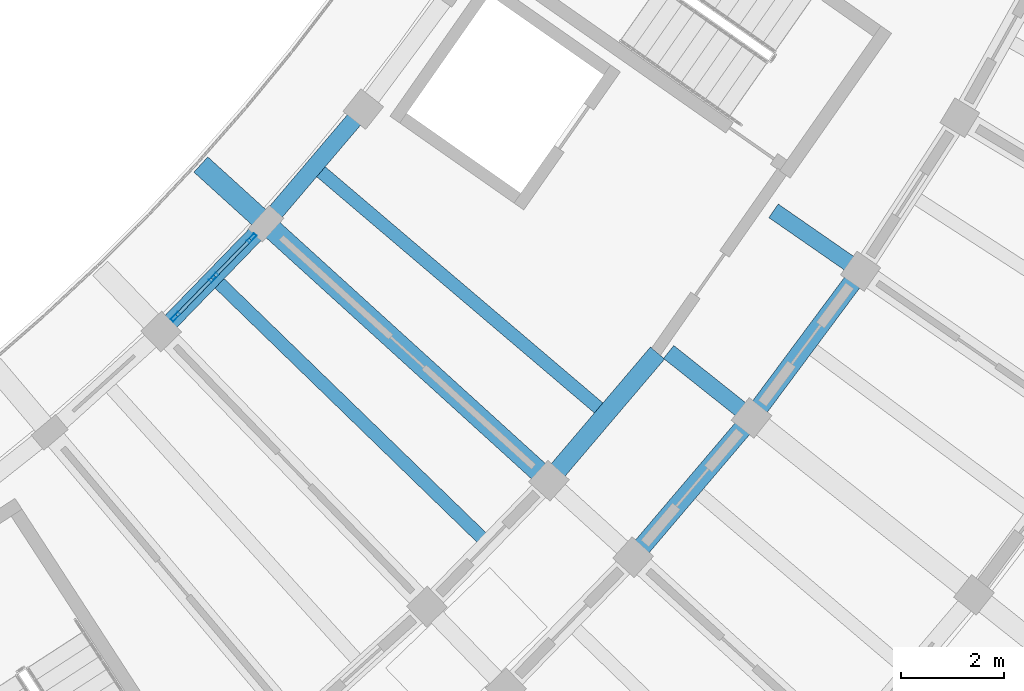
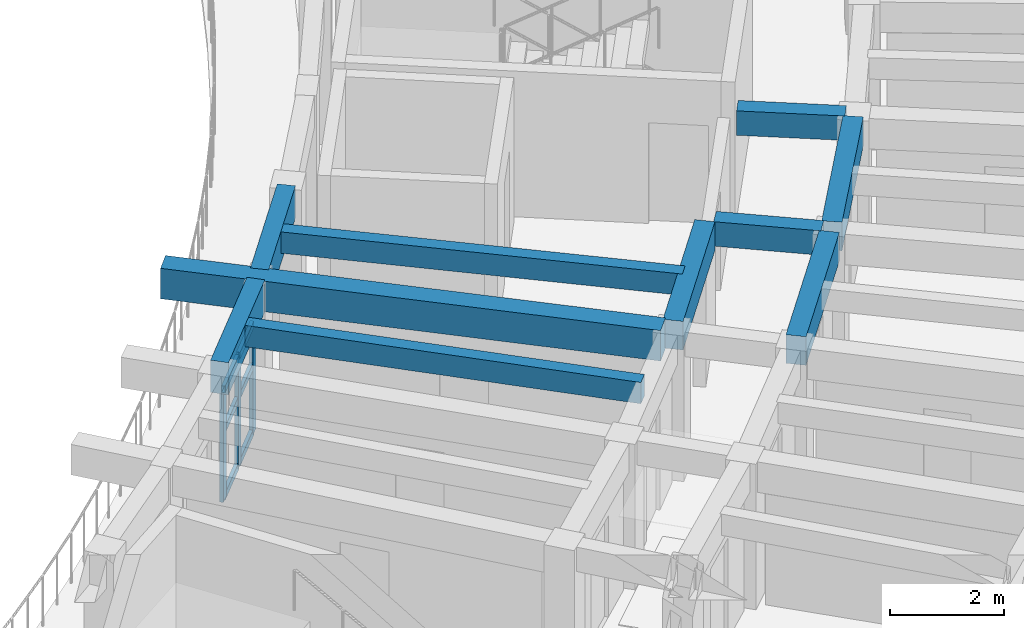
# One storey, part 18 of 81: 10 beams, 9 members, 1 element without a shape of its own.
"""IFC4 building model written with IfcOpenShell, lengths in metres."""

from ifc_helpers import new_model, si_unit, direction, frame, origin, origin_2d, place, context, subcontext, project, spatial, rectangle, hollow_rectangle, extrude, material, material_profile, profile_set, type_object, element, aggregate, save


model = new_model("IFC4")

# Units and contexts
model_context = context("Model", 3, precision=1e-05, world=origin(), true_north=direction((0.0, 1.0)))
body_context = subcontext(model_context, "Body", "Model", "MODEL_VIEW")
ifc_project = project(units=[si_unit("LENGTHUNIT", "METRE"), si_unit("AREAUNIT", "SQUARE_METRE"), si_unit("VOLUMEUNIT", "CUBIC_METRE"), si_unit("PLANEANGLEUNIT", "RADIAN"), si_unit("MASSUNIT", "GRAM", prefix="KILO")], contexts=[model_context])

# Site, building, storey
site_placement = place(None, origin())
site = spatial("IfcSite", under=ifc_project, at=site_placement, CompositionType="ELEMENT")
building_placement = place(site_placement, origin())
building = spatial("IfcBuilding", under=site, at=building_placement, Name="Tanwirah Colonnade Gardens", CompositionType="ELEMENT")
storey_placement = place(building_placement, frame((0.0, 0.0, 8.840087890625)))
storey = spatial("IfcBuildingStorey", under=building, at=storey_placement, Name="L02", CompositionType="ELEMENT", Elevation=8.840087890625)

# Beams
ifc_material_1 = material(Name="Precast concrete C40/50", Category="concrete")
ifc_material_profile_1 = material_profile(ifc_material_1, rectangle(XDim=0.360107421875, YDim=0.610107421875, at=origin_2d()), Name="PC-BM 360x610")
ifc_profile_set_1 = profile_set([ifc_material_profile_1], Name="Precast concrete C40/50")
beam_type_1 = type_object("IfcBeamType", Name="BM-PC300", PredefinedType="BEAM", material=ifc_profile_set_1)
beam_1_placement = place(storey_placement, frame((159.4775390625, 29.751953125, 2.7998046875), z_axis=(0.647730901566, 0.761869200819, 0.0), x_axis=(-0.761869200819, 0.647730901566, 0.0)))
element("IfcBeam", 1, at=beam_1_placement, inside=storey, type_object=beam_type_1, Name="Block D L02 Circumferential Beam 9-R1", PredefinedType="BEAM", context=body_context, shape_type="SweptSolid", body=[
    extrude(rectangle(XDim=0.360107421875, YDim=0.610107421875, at=origin_2d()), origin(), (0.0, 0.0, 1.0), 3.093017578125),
])
beam_2_placement = place(storey_placement, frame((161.10595703125, 28.27294921875, 2.7998046875), z_axis=(0.6478235549, 0.761790418499, 0.0), x_axis=(-0.761790418499, 0.6478235549, 0.0)))
element("IfcBeam", 2, at=beam_2_placement, inside=storey, type_object=beam_type_1, Name="Block D L02 Circumferential Beam 9-R2", PredefinedType="BEAM", context=body_context, shape_type="SweptSolid", body=[
    extrude(rectangle(XDim=0.360107421875, YDim=0.610107421875, at=origin_2d()), origin(), (0.0, 0.0, 1.0), 3.23681640625),
])
beam_3_placement = place(storey_placement, frame((163.389404296875, 30.973388671875, 2.7998046875), z_axis=(0.596579473879, 0.802554005252, 0.0), x_axis=(-0.802554005252, 0.596579473879, 0.0)))
element("IfcBeam", 3, at=beam_3_placement, inside=storey, type_object=beam_type_1, Name="Block D L02 Circumferential Beam 10-R2", PredefinedType="BEAM", context=body_context, shape_type="SweptSolid", body=[
    extrude(rectangle(XDim=0.360107421875, YDim=0.610107421875, at=origin_2d()), origin(), (0.0, 0.0, 1.0), 3.237060546875),
])
ifc_material_profile_2 = material_profile(ifc_material_1, rectangle(XDim=0.320068359375, YDim=0.52001953125, at=origin_2d()), Name="PC-BM 320x520")
ifc_profile_set_2 = profile_set([ifc_material_profile_2], Name="Precast concrete C40/50")
beam_type_2 = type_object("IfcBeamType", Name="BM-PC320", PredefinedType="BEAM", material=ifc_profile_set_2)
beam_4_placement = place(storey_placement, frame((161.695556640625, 32.129150390625, 2.844970703125), z_axis=(0.782670764896, -0.622435919415, 0.0), x_axis=(0.622435919415, 0.782670764896, 0.0)))
element("IfcBeam", 4, at=beam_4_placement, inside=storey, type_object=beam_type_2, Name="Block D L02 Corridor Tie Beam 10", PredefinedType="BEAM", context=body_context, shape_type="SweptSolid", body=[
    extrude(rectangle(XDim=0.320068359375, YDim=0.52001953125, at=origin_2d()), origin(), (0.0, 0.0, 1.0), 1.89990234375),
])
beam_5_placement = place(storey_placement, frame((163.7255859375, 34.860107421875, 2.844970703125), z_axis=(0.821669163201, -0.569964723684, 0.0), x_axis=(0.569964723684, 0.821669163201, 0.0)))
element("IfcBeam", 5, at=beam_5_placement, inside=storey, type_object=beam_type_2, Name="Block D L02 Corridor Tie Beam 11", PredefinedType="BEAM", context=body_context, shape_type="SweptSolid", body=[
    extrude(rectangle(XDim=0.320068359375, YDim=0.52001953125, at=origin_2d()), origin(), (0.0, 0.0, 1.0), 1.900146484375),
])
ifc_material_2 = material(Name="Precast concrete C45/55", Category="concrete")
ifc_material_profile_3 = material_profile(ifc_material_2, rectangle(XDim=0.39990234375, YDim=0.64990234375, at=origin_2d()), Name="PC-BM 400x650")
ifc_profile_set_3 = profile_set([ifc_material_profile_3], Name="Precast concrete C45/55")
beam_type_3 = type_object("IfcBeamType", Name="BM-PC400", PredefinedType="BEAM", material=ifc_profile_set_3)
beam_6_placement = place(storey_placement, frame((159.269287109375, 29.738525390625, 2.780029296875), z_axis=(-0.740212791446, 0.672372681911, 0.0), x_axis=(-0.672372681911, -0.740212791446, 0.0)))
element("IfcBeam", 6, at=beam_6_placement, inside=storey, type_object=beam_type_3, Name="Block D L02 Inner Radial Precast Girder 9", PredefinedType="BEAM", context=body_context, shape_type="SweptSolid", body=[
    extrude(rectangle(XDim=0.39990234375, YDim=0.64990234375, at=origin_2d()), origin(), (0.0, 0.0, 1.0), 8.9501953125),
])

# Curtain wall, members
ifc_material_3 = material(Name="Bronze-anodised aluminium and solar-control low-E glass", Category="aluminium")
curtain_wall_type = type_object("IfcCurtainWallType", Name="CW-GDN", PredefinedType="NOTDEFINED", material=ifc_material_3)
curtain_wall_placement = place(storey_placement, origin())
curtain_wall = element("IfcCurtainWall", 7, at=curtain_wall_placement, inside=storey, type_object=curtain_wall_type, Name="Curtain Wall CW-D-L02-IN-08", PredefinedType="NOTDEFINED")
ifc_material_4 = material(Name="Bronze-anodised aluminium", Category="aluminium")
ifc_material_profile_4 = material_profile(ifc_material_4, hollow_rectangle(XDim=0.070068359375, YDim=0.199951171875, WallThickness=0.00390625, at=origin_2d()), Name="CW-MUL 70x200x4")
ifc_profile_set_4 = profile_set([ifc_material_profile_4], Name="Bronze-anodised aluminium")
member_type_1 = type_object("IfcMemberType", Name="CWM-70x200", PredefinedType="MULLION", material=ifc_profile_set_4)
member_1_placement = place(storey_placement, frame((152.152587890625, 32.808837890625, 0.0), z_axis=(0.0, 0.0, 1.0), x_axis=(-0.717825107678, 0.696223466127, 0.0)))
member_1 = element("IfcMember", 8, at=member_1_placement, type_object=member_type_1, Name="CW-GDN mullion 1", PredefinedType="MULLION", context=body_context, shape_type="SweptSolid", body=[
    extrude(hollow_rectangle(XDim=0.070068359375, YDim=0.199951171875, WallThickness=0.00390625, at=origin_2d()), origin(), (0.0, 0.0, 1.0), 2.35498046875),
])
member_2_placement = place(storey_placement, frame((152.89013671875, 33.5693359375, 0.0), z_axis=(0.0, 0.0, 1.0), x_axis=(-0.717825107678, 0.696223466127, 0.0)))
member_2 = element("IfcMember", 9, at=member_2_placement, type_object=member_type_1, Name="CW-GDN mullion 2", PredefinedType="MULLION", context=body_context, shape_type="SweptSolid", body=[
    extrude(hollow_rectangle(XDim=0.070068359375, YDim=0.199951171875, WallThickness=0.00390625, at=origin_2d()), origin(), (0.0, 0.0, 1.0), 2.35498046875),
])
member_3_placement = place(storey_placement, frame((153.627685546875, 34.329833984375, 0.0), z_axis=(0.0, 0.0, 1.0), x_axis=(-0.717825107678, 0.696223466127, 0.0)))
member_3 = element("IfcMember", 10, at=member_3_placement, type_object=member_type_1, Name="CW-GDN mullion 3", PredefinedType="MULLION", context=body_context, shape_type="SweptSolid", body=[
    extrude(hollow_rectangle(XDim=0.070068359375, YDim=0.199951171875, WallThickness=0.00390625, at=origin_2d()), origin(), (0.0, 0.0, 1.0), 2.35498046875),
])
ifc_material_profile_5 = material_profile(ifc_material_4, hollow_rectangle(XDim=0.070068359375, YDim=0.14990234375, WallThickness=0.00390625, at=origin_2d()), Name="CW-TRN 70x150x4")
ifc_profile_set_5 = profile_set([ifc_material_profile_5], Name="Bronze-anodised aluminium")
member_type_2 = type_object("IfcMemberType", Name="CWT-70x150", PredefinedType="USERDEFINED", material=ifc_profile_set_5)
member_4_placement = place(storey_placement, frame((152.177001953125, 32.833984375, 0.034912109375), z_axis=(0.696165106351, 0.71788170662, 0.0), x_axis=(-0.71788170662, 0.696165106351, 0.0)))
member_4 = element("IfcMember", 11, at=member_4_placement, type_object=member_type_2, Name="CW-GDN transom 1.1", ObjectType="TRANSOM", PredefinedType="USERDEFINED", context=body_context, shape_type="SweptSolid", body=[
    extrude(hollow_rectangle(XDim=0.070068359375, YDim=0.14990234375, WallThickness=0.00390625, at=origin_2d()), origin(), (0.0, 0.0, 1.0), 0.9892578125),
])
member_5_placement = place(storey_placement, frame((152.177001953125, 32.833984375, 1.4599609375), z_axis=(0.696165106351, 0.71788170662, 0.0), x_axis=(-0.71788170662, 0.696165106351, 0.0)))
member_5 = element("IfcMember", 12, at=member_5_placement, type_object=member_type_2, Name="CW-GDN transom 1.2", ObjectType="TRANSOM", PredefinedType="USERDEFINED", context=body_context, shape_type="SweptSolid", body=[
    extrude(hollow_rectangle(XDim=0.070068359375, YDim=0.14990234375, WallThickness=0.00390625, at=origin_2d()), origin(), (0.0, 0.0, 1.0), 0.9892578125),
])
member_6_placement = place(storey_placement, frame((152.177001953125, 32.833984375, 2.31982421875), z_axis=(0.696165106351, 0.71788170662, 0.0), x_axis=(-0.71788170662, 0.696165106351, 0.0)))
member_6 = element("IfcMember", 13, at=member_6_placement, type_object=member_type_2, Name="CW-GDN transom 1.3", ObjectType="TRANSOM", PredefinedType="USERDEFINED", context=body_context, shape_type="SweptSolid", body=[
    extrude(hollow_rectangle(XDim=0.070068359375, YDim=0.14990234375, WallThickness=0.00390625, at=origin_2d()), origin(), (0.0, 0.0, 1.0), 0.9892578125),
])
member_7_placement = place(storey_placement, frame((152.91455078125, 33.594482421875, 0.034912109375), z_axis=(0.696165106351, 0.71788170662, 0.0), x_axis=(-0.71788170662, 0.696165106351, 0.0)))
member_7 = element("IfcMember", 14, at=member_7_placement, type_object=member_type_2, Name="CW-GDN transom 2.1", ObjectType="TRANSOM", PredefinedType="USERDEFINED", context=body_context, shape_type="SweptSolid", body=[
    extrude(hollow_rectangle(XDim=0.070068359375, YDim=0.14990234375, WallThickness=0.00390625, at=origin_2d()), origin(), (0.0, 0.0, 1.0), 0.9892578125),
])
member_8_placement = place(storey_placement, frame((152.91455078125, 33.594482421875, 1.4599609375), z_axis=(0.696165106351, 0.71788170662, 0.0), x_axis=(-0.71788170662, 0.696165106351, 0.0)))
member_8 = element("IfcMember", 15, at=member_8_placement, type_object=member_type_2, Name="CW-GDN transom 2.2", ObjectType="TRANSOM", PredefinedType="USERDEFINED", context=body_context, shape_type="SweptSolid", body=[
    extrude(hollow_rectangle(XDim=0.070068359375, YDim=0.14990234375, WallThickness=0.00390625, at=origin_2d()), origin(), (0.0, 0.0, 1.0), 0.9892578125),
])
member_9_placement = place(storey_placement, frame((152.91455078125, 33.594482421875, 2.31982421875), z_axis=(0.696165106351, 0.71788170662, 0.0), x_axis=(-0.71788170662, 0.696165106351, 0.0)))
member_9 = element("IfcMember", 16, at=member_9_placement, type_object=member_type_2, Name="CW-GDN transom 2.3", ObjectType="TRANSOM", PredefinedType="USERDEFINED", context=body_context, shape_type="SweptSolid", body=[
    extrude(hollow_rectangle(XDim=0.070068359375, YDim=0.14990234375, WallThickness=0.00390625, at=origin_2d()), origin(), (0.0, 0.0, 1.0), 0.9892578125),
])
aggregate(curtain_wall, [member_1, member_2, member_3, member_4, member_5, member_6, member_7, member_8, member_9])

# Beams
ifc_material_profile_6 = material_profile(ifc_material_1, rectangle(XDim=0.2548828125, YDim=0.455078125, at=origin_2d()), Name="PC-JST 255x455")
ifc_profile_set_6 = profile_set([ifc_material_profile_6], Name="Precast concrete C40/50")
beam_type_4 = type_object("IfcBeamType", Name="JST-PC240", PredefinedType="JOIST", material=ifc_profile_set_6)
beam_7_placement = place(storey_placement, frame((152.993408203125, 33.46923828125, 2.87744140625), z_axis=(0.717816218075, -0.69623263143, 0.0), x_axis=(0.69623263143, 0.717816218075, 0.0)))
element("IfcBeam", 17, at=beam_7_placement, inside=storey, type_object=beam_type_4, Name="Block D L02 Inner Precast Floor Joist 8", PredefinedType="JOIST", context=body_context, shape_type="SweptSolid", body=[
    extrude(rectangle(XDim=0.2548828125, YDim=0.455078125, at=origin_2d()), origin(), (0.0, 0.0, 1.0), 7.16015625),
])
beam_8_placement = place(storey_placement, frame((154.954345703125, 35.628173828125, 2.87744140625), z_axis=(0.761816472242, -0.647792916464, 0.0), x_axis=(0.647792916464, 0.761816472242, 0.0)))
element("IfcBeam", 18, at=beam_8_placement, inside=storey, type_object=beam_type_4, Name="Block D L02 Inner Precast Floor Joist 9", PredefinedType="JOIST", context=body_context, shape_type="SweptSolid", body=[
    extrude(rectangle(XDim=0.2548828125, YDim=0.455078125, at=origin_2d()), origin(), (0.0, 0.0, 1.0), 7.159912109375),
])
ifc_material_profile_7 = material_profile(ifc_material_1, rectangle(XDim=0.324951171875, YDim=0.68505859375, at=origin_2d()), Name="PC-SP 325x685")
ifc_profile_set_7 = profile_set([ifc_material_profile_7], Name="Precast concrete C40/50")
beam_type_5 = type_object("IfcBeamType", Name="SP-PC260", PredefinedType="SPANDREL", material=ifc_profile_set_7)
beam_9_placement = place(storey_placement, frame((151.98193359375, 32.633056640625, 2.762451171875), z_axis=(0.696262751108, 0.717787002822, 0.0), x_axis=(-0.717787002822, 0.696262751108, 0.0)))
element("IfcBeam", 19, at=beam_9_placement, inside=storey, type_object=beam_type_5, Name="Block D L02 Circumferential Beam 8-R0", PredefinedType="SPANDREL", context=body_context, shape_type="SweptSolid", body=[
    extrude(rectangle(XDim=0.324951171875, YDim=0.68505859375, at=origin_2d()), origin(), (0.0, 0.0, 1.0), 2.60888671875),
])
beam_10_placement = place(storey_placement, frame((153.999755859375, 34.7275390625, 2.762451171875), z_axis=(0.647811402053, 0.761800753065, 0.0), x_axis=(-0.761800753065, 0.647811402053, 0.0)))
element("IfcBeam", 20, at=beam_10_placement, inside=storey, type_object=beam_type_5, Name="Block D L02 Circumferential Beam 9-R0", PredefinedType="SPANDREL", context=body_context, shape_type="SweptSolid", body=[
    extrude(rectangle(XDim=0.324951171875, YDim=0.68505859375, at=origin_2d()), origin(), (0.0, 0.0, 1.0), 2.608642578125),
])

save(model, "model.ifc")
